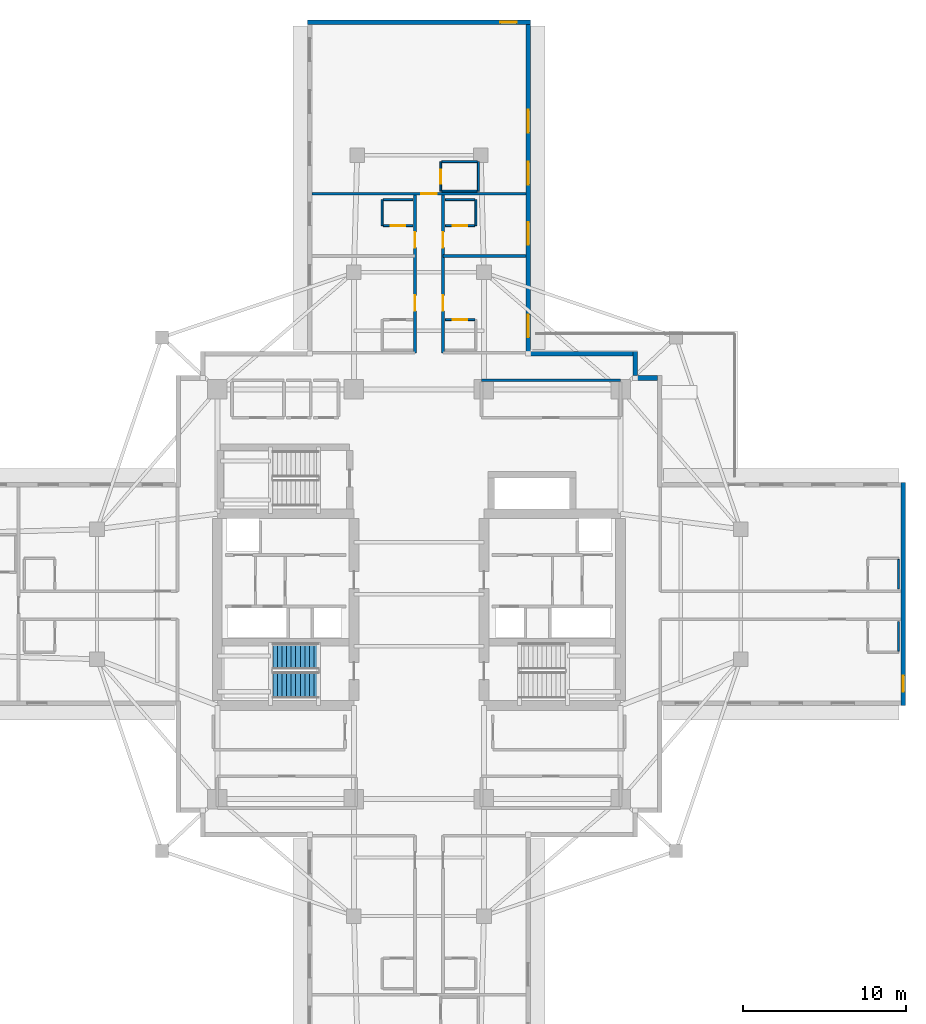
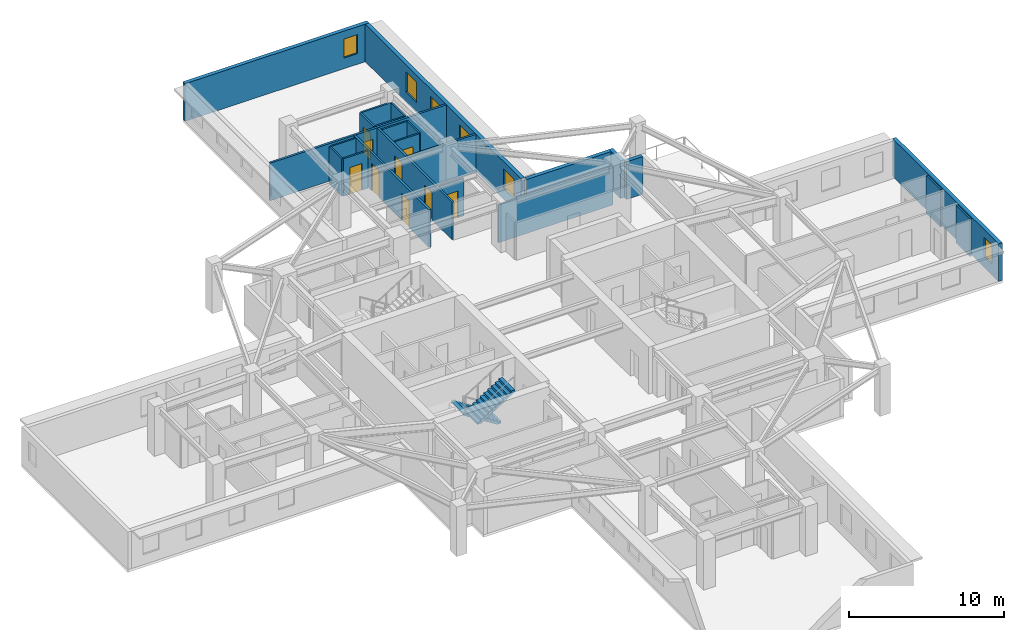
# One storey, part 7 of 13: 24 walls, 9 doors, 6 windows, 2 stair flights, 15 openings, 1 element without a shape of its own.
"""IFC4 building model written with IfcOpenShell, lengths in metres."""

from ifc_helpers import new_model, si_unit, direction, frame, frame_2d, origin, place, context, subcontext, project, spatial, polyline, rectangle, outline, extrude, material, layer, layer_set, type_object, element, fill, aggregate, save


model = new_model("IFC4")

# Units and contexts
model_context = context("Model", 3, precision=1e-05, world=origin(), true_north=direction((0.0, 1.0)))
body_context = subcontext(model_context, "Body", "Model", "MODEL_VIEW")
ifc_project = project(units=[si_unit("LENGTHUNIT", "METRE"), si_unit("AREAUNIT", "SQUARE_METRE"), si_unit("VOLUMEUNIT", "CUBIC_METRE"), si_unit("PLANEANGLEUNIT", "RADIAN"), si_unit("MASSUNIT", "GRAM", prefix="KILO")], contexts=[model_context])

# Site, building, storey
site_placement = place(None, origin())
site = spatial("IfcSite", under=ifc_project, at=site_placement, CompositionType="ELEMENT")
building_placement = place(site_placement, origin())
building = spatial("IfcBuilding", under=site, at=building_placement, Name="Qingluan Cross Belvedere", CompositionType="ELEMENT")
storey_placement = place(building_placement, frame((0.0, 0.0, 183.89990234375)))
storey = spatial("IfcBuildingStorey", under=building, at=storey_placement, Name="L46", CompositionType="ELEMENT", Elevation=183.89990234375)

# Wall
ifc_material_1 = material(Name="Gypsum plasterboard on steel stud acoustic partition", Category="steel")
ifc_layer_1 = layer(ifc_material_1, 0.159912109375, Name="CorridorPartition_160")
ifc_layer_set_1 = layer_set([ifc_layer_1], Name="Gypsum plasterboard on steel stud acoustic partition")
wall_type_1 = type_object("IfcWallType", Name="CorridorPartition_160", PredefinedType="PARTITIONING", material=ifc_layer_set_1)
wall_1_placement = place(storey_placement, frame((3.85009765625, 13.14990234375, 0.0), z_axis=(0.0, 0.0, 1.0), x_axis=(1.0, 0.0, 0.0)))
element("IfcWall", 1, at=wall_1_placement, inside=storey, type_object=wall_type_1, Name="Partition L46:q_ne:N", PredefinedType="PARTITIONING", context=body_context, shape_type="SweptSolid", body=[
    extrude(rectangle(XDim=8.5498046875, YDim=0.159912109375, at=frame_2d((4.27490234375, 0.0))), origin(), (0.0, 0.0, 1.0), 2.960205078125),
])

# Wall, openings, doors
wall_2_placement = place(storey_placement, frame((1.47998046875, 14.85009765625, 0.0), z_axis=(0.0, 0.0, 1.0), x_axis=(0.0, 1.0, 0.0)))
wall_2 = element("IfcWall", 2, at=wall_2_placement, inside=storey, type_object=wall_type_1, Name="Partition L46:N:c0", PredefinedType="PARTITIONING", context=body_context, shape_type="SweptSolid", body=[
    extrude(rectangle(XDim=9.699951171875, YDim=0.159912109375, at=frame_2d((4.85009765625, 0.0))), origin(), (0.0, 0.0, 1.0), 2.960205078125),
])
opening_1_placement = place(wall_2_placement, frame((2.574951171875, 0.0, 0.0)))
opening_1 = element("IfcOpeningElement", 3, at=opening_1_placement, cuts=wall_2, Name="Opening GD-10", PredefinedType="OPENING", context=body_context, shape_type="SweptSolid", body=[
    extrude(rectangle(XDim=0.9599609375, YDim=2.14990234375, at=frame_2d((0.47998046875, 1.074951171875))), frame((0.0, 0.08984375, 0.0), z_axis=(0.0, -1.0, 0.0), x_axis=(1.0, 0.0, 0.0)), (0.0, 0.0, 1.0), 0.179931640625),
])
opening_2_placement = place(wall_2_placement, frame((6.467041015625, 0.0, 0.0)))
opening_2 = element("IfcOpeningElement", 4, at=opening_2_placement, cuts=wall_2, Name="Opening GD-10", PredefinedType="OPENING", context=body_context, shape_type="SweptSolid", body=[
    extrude(rectangle(XDim=0.9599609375, YDim=2.14990234375, at=frame_2d((0.47998046875, 1.074951171875))), frame((0.0, 0.08984375, 0.0), z_axis=(0.0, -1.0, 0.0), x_axis=(1.0, 0.0, 0.0)), (0.0, 0.0, 1.0), 0.179931640625),
])
ifc_material_2 = material(Name="Timber oak fire-rated acoustic guestroom door", Category="wood")
door_type_1 = type_object("IfcDoorType", Name="GuestEntryDoor_FD60", OperationType="NOTDEFINED", PredefinedType="DOOR", material=ifc_material_2)
door_1_placement = place(opening_1_placement, origin())
door_1 = element("IfcDoor", 5, at=door_1_placement, inside=storey, type_object=door_type_1, Name="Guest entry fire door 4605", OperationType="SINGLE_SWING_RIGHT", OverallHeight=2.14990234375, OverallWidth=0.9599609375, PredefinedType="DOOR", context=body_context, shape_type="SweptSolid", body=[
    extrude(rectangle(XDim=0.9599609375, YDim=2.14990234375, at=frame_2d((0.47998046875, 1.074951171875))), frame((0.0, 0.02490234375, 0.0), z_axis=(0.0, -1.0, 0.0), x_axis=(1.0, 0.0, 0.0)), (0.0, 0.0, 1.0), 0.050048828125),
])
fill(opening_1, door_1)
door_2_placement = place(opening_2_placement, origin())
door_2 = element("IfcDoor", 6, at=door_2_placement, inside=storey, type_object=door_type_1, Name="Guest entry fire door 4606", OperationType="SINGLE_SWING_RIGHT", OverallHeight=2.14990234375, OverallWidth=0.9599609375, PredefinedType="DOOR", context=body_context, shape_type="SweptSolid", body=[
    extrude(rectangle(XDim=0.9599609375, YDim=2.14990234375, at=frame_2d((0.47998046875, 1.074951171875))), frame((0.0, 0.02490234375, 0.0), z_axis=(0.0, -1.0, 0.0), x_axis=(1.0, 0.0, 0.0)), (0.0, 0.0, 1.0), 0.050048828125),
])
fill(opening_2, door_2)

# Wall
wall_3_placement = place(storey_placement, frame((1.47998046875, 20.800048828125, 0.0), z_axis=(0.0, 0.0, 1.0), x_axis=(1.0, 0.0, 0.0)))
element("IfcWall", 7, at=wall_3_placement, inside=storey, type_object=wall_type_1, Name="Partition L46:N:d0_0", PredefinedType="PARTITIONING", context=body_context, shape_type="SweptSolid", body=[
    extrude(rectangle(XDim=5.092041015625, YDim=0.159912109375, at=frame_2d((2.5458984375, 0.0))), origin(), (0.0, 0.0, 1.0), 2.960205078125),
])

# Wall, openings, doors
wall_4_placement = place(storey_placement, frame((-0.239990234375, 14.85009765625, 0.0), z_axis=(0.0, 0.0, 1.0), x_axis=(0.0, 1.0, 0.0)))
wall_4 = element("IfcWall", 8, at=wall_4_placement, inside=storey, type_object=wall_type_1, Name="Partition L46:N:c1", PredefinedType="PARTITIONING", context=body_context, shape_type="SweptSolid", body=[
    extrude(rectangle(XDim=9.699951171875, YDim=0.159912109375, at=frame_2d((4.85009765625, 0.0))), origin(), (0.0, 0.0, 1.0), 2.960205078125),
])
opening_3_placement = place(wall_4_placement, frame((2.574951171875, 0.0, 0.0)))
opening_3 = element("IfcOpeningElement", 9, at=opening_3_placement, cuts=wall_4, Name="Opening GD-10", PredefinedType="OPENING", context=body_context, shape_type="SweptSolid", body=[
    extrude(rectangle(XDim=0.9599609375, YDim=2.14990234375, at=frame_2d((0.47998046875, 1.074951171875))), frame((0.0, 0.08984375, 0.0), z_axis=(0.0, -1.0, 0.0), x_axis=(1.0, 0.0, 0.0)), (0.0, 0.0, 1.0), 0.179931640625),
])
opening_4_placement = place(wall_4_placement, frame((6.467041015625, 0.0, 0.0)))
opening_4 = element("IfcOpeningElement", 10, at=opening_4_placement, cuts=wall_4, Name="Opening GD-10", PredefinedType="OPENING", context=body_context, shape_type="SweptSolid", body=[
    extrude(rectangle(XDim=0.9599609375, YDim=2.14990234375, at=frame_2d((0.47998046875, 1.074951171875))), frame((0.0, 0.08984375, 0.0), z_axis=(0.0, -1.0, 0.0), x_axis=(1.0, 0.0, 0.0)), (0.0, 0.0, 1.0), 0.179931640625),
])
door_3_placement = place(opening_3_placement, origin())
door_3 = element("IfcDoor", 11, at=door_3_placement, inside=storey, type_object=door_type_1, Name="Guest entry fire door 4607", OperationType="SINGLE_SWING_RIGHT", OverallHeight=2.14990234375, OverallWidth=0.9599609375, PredefinedType="DOOR", context=body_context, shape_type="SweptSolid", body=[
    extrude(rectangle(XDim=0.9599609375, YDim=2.14990234375, at=frame_2d((0.47998046875, 1.074951171875))), frame((0.0, 0.02490234375, 0.0), z_axis=(0.0, -1.0, 0.0), x_axis=(1.0, 0.0, 0.0)), (0.0, 0.0, 1.0), 0.050048828125),
])
fill(opening_3, door_3)
door_4_placement = place(opening_4_placement, origin())
door_4 = element("IfcDoor", 12, at=door_4_placement, inside=storey, type_object=door_type_1, Name="Guest entry fire door 4608", OperationType="SINGLE_SWING_RIGHT", OverallHeight=2.14990234375, OverallWidth=0.9599609375, PredefinedType="DOOR", context=body_context, shape_type="SweptSolid", body=[
    extrude(rectangle(XDim=0.9599609375, YDim=2.14990234375, at=frame_2d((0.47998046875, 1.074951171875))), frame((0.0, 0.02490234375, 0.0), z_axis=(0.0, -1.0, 0.0), x_axis=(1.0, 0.0, 0.0)), (0.0, 0.0, 1.0), 0.050048828125),
])
fill(opening_4, door_4)

# Wall, opening, door
wall_5_placement = place(storey_placement, frame((-6.572021484375, 24.6298828125, 0.0), z_axis=(0.0, 0.0, 1.0), x_axis=(1.0, 0.0, 0.0)))
wall_5 = element("IfcWall", 13, at=wall_5_placement, inside=storey, type_object=wall_type_1, Name="Partition L46:Ncap:in", PredefinedType="PARTITIONING", context=body_context, shape_type="SweptSolid", body=[
    extrude(rectangle(XDim=13.14404296875, YDim=0.159912109375, at=frame_2d((6.572021484375, 0.0))), origin(), (0.0, 0.0, 1.0), 2.960205078125),
])
opening_5_placement = place(wall_5_placement, frame((6.7119140625, 0.0, 0.0)))
opening_5 = element("IfcOpeningElement", 14, at=opening_5_placement, cuts=wall_5, Name="Opening GD-10", PredefinedType="OPENING", context=body_context, shape_type="SweptSolid", body=[
    extrude(rectangle(XDim=0.9599609375, YDim=2.14990234375, at=frame_2d((0.47998046875, 1.074951171875))), frame((0.0, 0.08984375, 0.0), z_axis=(0.0, -1.0, 0.0), x_axis=(1.0, 0.0, 0.0)), (0.0, 0.0, 1.0), 0.179931640625),
])
door_5_placement = place(opening_5_placement, origin())
door_5 = element("IfcDoor", 15, at=door_5_placement, inside=storey, type_object=door_type_1, Name="Presidential suite entrance door L46N", OperationType="SINGLE_SWING_LEFT", OverallHeight=2.14990234375, OverallWidth=0.9599609375, PredefinedType="DOOR", context=body_context, shape_type="SweptSolid", body=[
    extrude(rectangle(XDim=0.9599609375, YDim=2.14990234375, at=frame_2d((0.47998046875, 1.074951171875))), frame((0.0, 0.02490234375, 0.0), z_axis=(0.0, -1.0, 0.0), x_axis=(1.0, 0.0, 0.0)), (0.0, 0.0, 1.0), 0.050048828125),
])
fill(opening_5, door_5)

# Walls
ifc_material_3 = material(Name="Moisture-resistant gypsum board lining")
ifc_layer_2 = layer(ifc_material_3, 0.1201171875, Name="EnsuiteWetPartition_120")
ifc_layer_set_2 = layer_set([ifc_layer_2], Name="Moisture-resistant gypsum board lining")
wall_type_2 = type_object("IfcWallType", Name="EnsuiteWetPartition_120", PredefinedType="PARTITIONING", material=ifc_layer_set_2)
wall_6_placement = place(storey_placement, frame((29.5, 0.320068359375, 0.0), z_axis=(0.0, 0.0, 1.0), x_axis=(0.0, 1.0, 0.0)))
element("IfcWall", 16, at=wall_6_placement, inside=storey, type_object=wall_type_2, Name="Partition L46:E:bw0_0", PredefinedType="PARTITIONING", context=body_context, shape_type="SweptSolid", body=[
    extrude(rectangle(XDim=1.81982421875, YDim=0.1201171875, at=frame_2d((0.909912109375, 0.0))), origin(), (0.0, 0.0, 1.0), 2.960205078125),
])
wall_7_placement = place(storey_placement, frame((29.5, -3.5, 0.0), z_axis=(0.0, 0.0, 1.0), x_axis=(0.0, 1.0, 0.0)))
element("IfcWall", 17, at=wall_7_placement, inside=storey, type_object=wall_type_2, Name="Partition L46:E:bw1_0", PredefinedType="PARTITIONING", context=body_context, shape_type="SweptSolid", body=[
    extrude(rectangle(XDim=1.820068359375, YDim=0.1201171875, at=frame_2d((0.91015625, 0.0))), origin(), (0.0, 0.0, 1.0), 2.960205078125),
])

# Wall, opening, door
wall_8_placement = place(storey_placement, frame((1.6201171875, 16.889892578125, 0.0), z_axis=(0.0, 0.0, 1.0), x_axis=(1.0, 0.0, 0.0)))
wall_8 = element("IfcWall", 18, at=wall_8_placement, inside=storey, type_object=wall_type_2, Name="Partition L46:N:bs0_0", PredefinedType="PARTITIONING", context=body_context, shape_type="SweptSolid", body=[
    extrude(rectangle(XDim=1.81982421875, YDim=0.1201171875, at=frame_2d((0.909912109375, 0.0))), origin(), (0.0, 0.0, 1.0), 2.960205078125),
])
opening_6_placement = place(wall_8_placement, frame((0.469970703125, 0.0, 0.0)))
opening_6 = element("IfcOpeningElement", 19, at=opening_6_placement, cuts=wall_8, Name="Opening BD-09", PredefinedType="OPENING", context=body_context, shape_type="SweptSolid", body=[
    extrude(rectangle(XDim=0.8798828125, YDim=2.10009765625, at=frame_2d((0.43994140625, 1.050048828125))), frame((0.0, 0.070068359375, 0.0), z_axis=(0.0, -1.0, 0.0), x_axis=(1.0, 0.0, 0.0)), (0.0, 0.0, 1.0), 0.14013671875),
])
ifc_material_4 = material(Name="Moisture-sealed timber en-suite door", Category="wood")
door_type_2 = type_object("IfcDoorType", Name="BathroomDoor_880", OperationType="NOTDEFINED", PredefinedType="DOOR", material=ifc_material_4)
door_6_placement = place(opening_6_placement, origin())
door_6 = element("IfcDoor", 20, at=door_6_placement, inside=storey, type_object=door_type_2, Name="Bathroom door 4605", OperationType="SINGLE_SWING_LEFT", OverallHeight=2.10009765625, OverallWidth=0.8798828125, PredefinedType="DOOR", context=body_context, shape_type="SweptSolid", body=[
    extrude(rectangle(XDim=0.8798828125, YDim=2.10009765625, at=frame_2d((0.43994140625, 1.050048828125))), frame((0.0, 0.02490234375, 0.0), z_axis=(0.0, -1.0, 0.0), x_axis=(1.0, 0.0, 0.0)), (0.0, 0.0, 1.0), 0.050048828125),
])
fill(opening_6, door_6)

wall_9_placement = place(storey_placement, frame((1.6201171875, 22.669921875, 0.0), z_axis=(0.0, 0.0, 1.0), x_axis=(1.0, 0.0, 0.0)))
wall_9 = element("IfcWall", 21, at=wall_9_placement, inside=storey, type_object=wall_type_2, Name="Partition L46:N:bs0_1", PredefinedType="PARTITIONING", context=body_context, shape_type="SweptSolid", body=[
    extrude(rectangle(XDim=1.81982421875, YDim=0.1201171875, at=frame_2d((0.909912109375, 0.0))), origin(), (0.0, 0.0, 1.0), 2.960205078125),
])
opening_7_placement = place(wall_9_placement, frame((0.469970703125, 0.0, 0.0)))
opening_7 = element("IfcOpeningElement", 22, at=opening_7_placement, cuts=wall_9, Name="Opening BD-09", PredefinedType="OPENING", context=body_context, shape_type="SweptSolid", body=[
    extrude(rectangle(XDim=0.8798828125, YDim=2.10009765625, at=frame_2d((0.43994140625, 1.050048828125))), frame((0.0, 0.070068359375, 0.0), z_axis=(0.0, -1.0, 0.0), x_axis=(1.0, 0.0, 0.0)), (0.0, 0.0, 1.0), 0.14013671875),
])
door_7_placement = place(opening_7_placement, origin())
door_7 = element("IfcDoor", 23, at=door_7_placement, inside=storey, type_object=door_type_2, Name="Bathroom door 4606", OperationType="SINGLE_SWING_LEFT", OverallHeight=2.10009765625, OverallWidth=0.8798828125, PredefinedType="DOOR", context=body_context, shape_type="SweptSolid", body=[
    extrude(rectangle(XDim=0.8798828125, YDim=2.10009765625, at=frame_2d((0.43994140625, 1.050048828125))), frame((0.0, 0.02490234375, 0.0), z_axis=(0.0, -1.0, 0.0), x_axis=(1.0, 0.0, 0.0)), (0.0, 0.0, 1.0), 0.050048828125),
])
fill(opening_7, door_7)

# Walls
wall_10_placement = place(storey_placement, frame((1.6201171875, 24.27001953125, 0.0), z_axis=(0.0, 0.0, 1.0), x_axis=(1.0, 0.0, 0.0)))
element("IfcWall", 24, at=wall_10_placement, inside=storey, type_object=wall_type_2, Name="Partition L46:N:bw0_1", PredefinedType="PARTITIONING", context=body_context, shape_type="SweptSolid", body=[
    extrude(rectangle(XDim=1.81982421875, YDim=0.1201171875, at=frame_2d((0.909912109375, 0.0))), origin(), (0.0, 0.0, 1.0), 2.960205078125),
])
wall_11_placement = place(storey_placement, frame((3.5048828125, 22.669921875, 0.0), z_axis=(0.0, 0.0, 1.0), x_axis=(0.0, 1.0, 0.0)))
element("IfcWall", 25, at=wall_11_placement, inside=storey, type_object=wall_type_2, Name="Partition L46:N:bn0_1", PredefinedType="PARTITIONING", context=body_context, shape_type="SweptSolid", body=[
    extrude(rectangle(XDim=1.60009765625, YDim=0.1201171875, at=frame_2d((0.800048828125, 0.0))), origin(), (0.0, 0.0, 1.0), 2.960205078125),
])

# Wall, opening, door
wall_12_placement = place(storey_placement, frame((-2.199951171875, 22.669921875, 0.0), z_axis=(0.0, 0.0, 1.0), x_axis=(1.0, 0.0, 0.0)))
wall_12 = element("IfcWall", 26, at=wall_12_placement, inside=storey, type_object=wall_type_2, Name="Partition L46:N:bs1_1", PredefinedType="PARTITIONING", context=body_context, shape_type="SweptSolid", body=[
    extrude(rectangle(XDim=1.820068359375, YDim=0.1201171875, at=frame_2d((0.91015625, 0.0))), origin(), (0.0, 0.0, 1.0), 2.960205078125),
])
opening_8_placement = place(wall_12_placement, frame((0.469970703125, 0.0, 0.0)))
opening_8 = element("IfcOpeningElement", 27, at=opening_8_placement, cuts=wall_12, Name="Opening BD-09", PredefinedType="OPENING", context=body_context, shape_type="SweptSolid", body=[
    extrude(rectangle(XDim=0.8798828125, YDim=2.10009765625, at=frame_2d((0.43994140625, 1.050048828125))), frame((0.0, 0.070068359375, 0.0), z_axis=(0.0, -1.0, 0.0), x_axis=(1.0, 0.0, 0.0)), (0.0, 0.0, 1.0), 0.14013671875),
])
door_8_placement = place(opening_8_placement, origin())
door_8 = element("IfcDoor", 28, at=door_8_placement, inside=storey, type_object=door_type_2, Name="Bathroom door 4608", OperationType="SINGLE_SWING_LEFT", OverallHeight=2.10009765625, OverallWidth=0.8798828125, PredefinedType="DOOR", context=body_context, shape_type="SweptSolid", body=[
    extrude(rectangle(XDim=0.8798828125, YDim=2.10009765625, at=frame_2d((0.43994140625, 1.050048828125))), frame((0.0, 0.02490234375, 0.0), z_axis=(0.0, -1.0, 0.0), x_axis=(1.0, 0.0, 0.0)), (0.0, 0.0, 1.0), 0.050048828125),
])
fill(opening_8, door_8)

# Walls
wall_13_placement = place(storey_placement, frame((-2.199951171875, 24.27001953125, 0.0), z_axis=(0.0, 0.0, 1.0), x_axis=(1.0, 0.0, 0.0)))
element("IfcWall", 29, at=wall_13_placement, inside=storey, type_object=wall_type_2, Name="Partition L46:N:bw1_1", PredefinedType="PARTITIONING", context=body_context, shape_type="SweptSolid", body=[
    extrude(rectangle(XDim=1.820068359375, YDim=0.1201171875, at=frame_2d((0.91015625, 0.0))), origin(), (0.0, 0.0, 1.0), 2.960205078125),
])
wall_14_placement = place(storey_placement, frame((-2.264892578125, 22.669921875, 0.0), z_axis=(0.0, 0.0, 1.0), x_axis=(0.0, 1.0, 0.0)))
element("IfcWall", 30, at=wall_14_placement, inside=storey, type_object=wall_type_2, Name="Partition L46:N:bc1_1", PredefinedType="PARTITIONING", context=body_context, shape_type="SweptSolid", body=[
    extrude(rectangle(XDim=1.60009765625, YDim=0.1201171875, at=frame_2d((0.800048828125, 0.0))), origin(), (0.0, 0.0, 1.0), 2.960205078125),
])

# Wall, opening, door
wall_15_placement = place(storey_placement, frame((1.340087890625, 24.7900390625, 0.0), z_axis=(0.0, 0.0, 1.0), x_axis=(0.0, 1.0, 0.0)))
wall_15 = element("IfcWall", 31, at=wall_15_placement, inside=storey, type_object=wall_type_2, Name="Partition L46:Ncap:bs", PredefinedType="PARTITIONING", context=body_context, shape_type="SweptSolid", body=[
    extrude(rectangle(XDim=1.820068359375, YDim=0.1201171875, at=frame_2d((0.91015625, 0.0))), origin(), (0.0, 0.0, 1.0), 2.960205078125),
])
opening_9_placement = place(wall_15_placement, frame((0.449951171875, 0.0, 0.0)))
opening_9 = element("IfcOpeningElement", 32, at=opening_9_placement, cuts=wall_15, Name="Opening BD-09", PredefinedType="OPENING", context=body_context, shape_type="SweptSolid", body=[
    extrude(rectangle(XDim=0.8798828125, YDim=2.10009765625, at=frame_2d((0.43994140625, 1.050048828125))), frame((0.0, 0.070068359375, 0.0), z_axis=(0.0, -1.0, 0.0), x_axis=(1.0, 0.0, 0.0)), (0.0, 0.0, 1.0), 0.14013671875),
])
door_9_placement = place(opening_9_placement, origin())
door_9 = element("IfcDoor", 33, at=door_9_placement, inside=storey, type_object=door_type_2, Name="En-suite bathroom door L46N", OperationType="SINGLE_SWING_RIGHT", OverallHeight=2.10009765625, OverallWidth=0.8798828125, PredefinedType="DOOR", context=body_context, shape_type="SweptSolid", body=[
    extrude(rectangle(XDim=0.8798828125, YDim=2.10009765625, at=frame_2d((0.43994140625, 1.050048828125))), frame((0.0, 0.02490234375, 0.0), z_axis=(0.0, -1.0, 0.0), x_axis=(1.0, 0.0, 0.0)), (0.0, 0.0, 1.0), 0.050048828125),
])
fill(opening_9, door_9)

# Walls
wall_16_placement = place(storey_placement, frame((3.659912109375, 24.7900390625, 0.0), z_axis=(0.0, 0.0, 1.0), x_axis=(0.0, 1.0, 0.0)))
element("IfcWall", 34, at=wall_16_placement, inside=storey, type_object=wall_type_2, Name="Partition L46:Ncap:bb", PredefinedType="PARTITIONING", context=body_context, shape_type="SweptSolid", body=[
    extrude(rectangle(XDim=1.820068359375, YDim=0.1201171875, at=frame_2d((0.91015625, 0.0))), origin(), (0.0, 0.0, 1.0), 2.960205078125),
])
for number, where, z_axis, x_axis, name in (
    (35, (1.409912109375, 24.7900390625, 0.0), (0.0, 0.0, 1.0), (1.0, 0.0, 0.0), "Partition L46:Ncap:ba"),
    (36, (1.409912109375, 26.610107421875, 0.0), (0.0, 0.0, 1.0), (1.0, 0.0, 0.0), "Partition L46:Ncap:bn"),
):
    element("IfcWall", number, at=place(storey_placement, frame(where, z_axis=z_axis, x_axis=x_axis)), inside=storey, type_object=wall_type_2, Name=name, PredefinedType="PARTITIONING", context=body_context, shape_type="SweptSolid", body=[
        extrude(rectangle(XDim=2.18017578125, YDim=0.1201171875, at=frame_2d((1.090087890625, 0.0))), origin(), (0.0, 0.0, 1.0), 2.960205078125),
    ])

# Wall, opening, window
ifc_material_5 = material(Name="Precast concrete C45", Category="concrete")
ifc_layer_3 = layer(ifc_material_5, 0.280029296875, Name="PrecastFacadeWall_280")
ifc_layer_set_3 = layer_set([ifc_layer_3], Name="Precast concrete C45")
wall_type_3 = type_object("IfcWallType", Name="PrecastFacadeWall_280", PredefinedType="STANDARD", material=ifc_layer_set_3)
wall_17_placement = place(storey_placement, frame((29.780029296875, -6.860107421875, 0.0), z_axis=(0.0, 0.0, 1.0), x_axis=(0.0, 1.0, 0.0)))
wall_17 = element("IfcWall", 37, at=wall_17_placement, inside=storey, type_object=wall_type_3, Name="Arm tip precast facade wall L46-E", PredefinedType="STANDARD", context=body_context, shape_type="SweptSolid", body=[
    extrude(rectangle(XDim=13.72021484375, YDim=0.280029296875, at=frame_2d((6.860107421875, 0.0))), origin(), (0.0, 0.0, 1.0), 2.97021484375),
])
opening_10_placement = place(wall_17_placement, frame((0.85009765625, 0.0, 0.85009765625)))
opening_10 = element("IfcOpeningElement", 38, at=opening_10_placement, cuts=wall_17, Name="Opening W-03", PredefinedType="OPENING", context=body_context, shape_type="SweptSolid", body=[
    extrude(rectangle(XDim=1.0, YDim=1.5, at=frame_2d((0.5, 0.75))), frame((0.0, 0.14990234375, 0.0), z_axis=(0.0, -1.0, 0.0), x_axis=(1.0, 0.0, 0.0)), (0.0, 0.0, 1.0), 0.300048828125),
])
ifc_material_6 = material(Name="Thermally broken triple Low-E glass in aluminium frame", Category="aluminium")
window_type_1 = type_object("IfcWindowType", Name="TriApexWin_1000x1500", PartitioningType="SINGLE_PANEL", PredefinedType="WINDOW", material=ifc_material_6)
window_1_placement = place(opening_10_placement, origin())
window_1 = element("IfcWindow", 39, at=window_1_placement, inside=storey, type_object=window_type_1, Name="Arm tip triangular window L46-E", OverallHeight=1.5, OverallWidth=1.0, PartitioningType="SINGLE_PANEL", PredefinedType="WINDOW", context=body_context, shape_type="SweptSolid", body=[
    extrude(rectangle(XDim=1.0, YDim=1.5, at=frame_2d((0.5, 0.75))), frame((0.0, 0.030029296875, 0.0), z_axis=(0.0, -1.0, 0.0), x_axis=(1.0, 0.0, 0.0)), (0.0, 0.0, 1.0), 0.06005859375),
])
fill(opening_10, window_1)

# Wall, openings, windows
wall_18_placement = place(storey_placement, frame((6.719970703125, 14.93994140625, 0.0), z_axis=(0.0, 0.0, 1.0), x_axis=(0.0, 1.0, 0.0)))
wall_18 = element("IfcWall", 40, at=wall_18_placement, inside=storey, type_object=wall_type_3, Name="Facade wall L46-NA", PredefinedType="STANDARD", context=body_context, shape_type="SweptSolid", body=[
    extrude(rectangle(XDim=20.10009765625, YDim=0.280029296875, at=frame_2d((10.050048828125, 0.0))), origin(), (0.0, 0.0, 1.0), 2.97021484375),
])
opening_11_placement = place(wall_18_placement, frame((0.85009765625, 0.0, 0.800048828125)))
opening_11 = element("IfcOpeningElement", 41, at=opening_11_placement, cuts=wall_18, Name="Opening W-01", PredefinedType="OPENING", context=body_context, shape_type="SweptSolid", body=[
    extrude(rectangle(XDim=1.39990234375, YDim=1.60009765625, at=frame_2d((0.699951171875, 0.800048828125))), frame((0.0, 0.14990234375, 0.0), z_axis=(0.0, -1.0, 0.0), x_axis=(1.0, 0.0, 0.0)), (0.0, 0.0, 1.0), 0.300048828125),
])
opening_12_placement = place(wall_18_placement, frame((6.550048828125, 0.0, 0.800048828125)))
opening_12 = element("IfcOpeningElement", 42, at=opening_12_placement, cuts=wall_18, Name="Opening W-01", PredefinedType="OPENING", context=body_context, shape_type="SweptSolid", body=[
    extrude(rectangle(XDim=1.39990234375, YDim=1.60009765625, at=frame_2d((0.699951171875, 0.800048828125))), frame((0.0, 0.14990234375, 0.0), z_axis=(0.0, -1.0, 0.0), x_axis=(1.0, 0.0, 0.0)), (0.0, 0.0, 1.0), 0.300048828125),
])
opening_13_placement = place(wall_18_placement, frame((10.25, 0.0, 0.800048828125)))
opening_13 = element("IfcOpeningElement", 43, at=opening_13_placement, cuts=wall_18, Name="Opening W-01", PredefinedType="OPENING", context=body_context, shape_type="SweptSolid", body=[
    extrude(rectangle(XDim=1.39990234375, YDim=1.60009765625, at=frame_2d((0.699951171875, 0.800048828125))), frame((0.0, 0.14990234375, 0.0), z_axis=(0.0, -1.0, 0.0), x_axis=(1.0, 0.0, 0.0)), (0.0, 0.0, 1.0), 0.300048828125),
])
opening_14_placement = place(wall_18_placement, frame((13.449951171875, 0.0, 0.800048828125)))
opening_14 = element("IfcOpeningElement", 44, at=opening_14_placement, cuts=wall_18, Name="Opening W-01", PredefinedType="OPENING", context=body_context, shape_type="SweptSolid", body=[
    extrude(rectangle(XDim=1.39990234375, YDim=1.60009765625, at=frame_2d((0.699951171875, 0.800048828125))), frame((0.0, 0.14990234375, 0.0), z_axis=(0.0, -1.0, 0.0), x_axis=(1.0, 0.0, 0.0)), (0.0, 0.0, 1.0), 0.300048828125),
])
ifc_material_7 = material(Name="Thermally broken triple Low-E glass in aluminium frame", Category="aluminium")
window_type_2 = type_object("IfcWindowType", Name="TriRibbonWin_1400x1600", PartitioningType="SINGLE_PANEL", PredefinedType="WINDOW", material=ifc_material_7)
window_2_placement = place(opening_11_placement, origin())
window_2 = element("IfcWindow", 45, at=window_2_placement, inside=storey, type_object=window_type_2, Name="Ribbon window L46-NA-1", OverallHeight=1.60009765625, OverallWidth=1.39990234375, PartitioningType="SINGLE_PANEL", PredefinedType="WINDOW", context=body_context, shape_type="SweptSolid", body=[
    extrude(rectangle(XDim=1.39990234375, YDim=1.60009765625, at=frame_2d((0.699951171875, 0.800048828125))), frame((0.0, 0.030029296875, 0.0), z_axis=(0.0, -1.0, 0.0), x_axis=(1.0, 0.0, 0.0)), (0.0, 0.0, 1.0), 0.06005859375),
])
fill(opening_11, window_2)
window_3_placement = place(opening_12_placement, origin())
window_3 = element("IfcWindow", 46, at=window_3_placement, inside=storey, type_object=window_type_2, Name="Ribbon window L46-NA-2", OverallHeight=1.60009765625, OverallWidth=1.39990234375, PartitioningType="SINGLE_PANEL", PredefinedType="WINDOW", context=body_context, shape_type="SweptSolid", body=[
    extrude(rectangle(XDim=1.39990234375, YDim=1.60009765625, at=frame_2d((0.699951171875, 0.800048828125))), frame((0.0, 0.030029296875, 0.0), z_axis=(0.0, -1.0, 0.0), x_axis=(1.0, 0.0, 0.0)), (0.0, 0.0, 1.0), 0.06005859375),
])
fill(opening_12, window_3)
window_4_placement = place(opening_13_placement, origin())
window_4 = element("IfcWindow", 47, at=window_4_placement, inside=storey, type_object=window_type_2, Name="Ribbon window L46-NA-3", OverallHeight=1.60009765625, OverallWidth=1.39990234375, PartitioningType="SINGLE_PANEL", PredefinedType="WINDOW", context=body_context, shape_type="SweptSolid", body=[
    extrude(rectangle(XDim=1.39990234375, YDim=1.60009765625, at=frame_2d((0.699951171875, 0.800048828125))), frame((0.0, 0.030029296875, 0.0), z_axis=(0.0, -1.0, 0.0), x_axis=(1.0, 0.0, 0.0)), (0.0, 0.0, 1.0), 0.06005859375),
])
fill(opening_13, window_4)
window_5_placement = place(opening_14_placement, origin())
window_5 = element("IfcWindow", 48, at=window_5_placement, inside=storey, type_object=window_type_2, Name="Ribbon window L46-NA-4", OverallHeight=1.60009765625, OverallWidth=1.39990234375, PartitioningType="SINGLE_PANEL", PredefinedType="WINDOW", context=body_context, shape_type="SweptSolid", body=[
    extrude(rectangle(XDim=1.39990234375, YDim=1.60009765625, at=frame_2d((0.699951171875, 0.800048828125))), frame((0.0, 0.030029296875, 0.0), z_axis=(0.0, -1.0, 0.0), x_axis=(1.0, 0.0, 0.0)), (0.0, 0.0, 1.0), 0.06005859375),
])
fill(opening_14, window_5)

# Wall, opening, window
wall_19_placement = place(storey_placement, frame((6.860107421875, 35.179931640625, 0.0), z_axis=(0.0, 0.0, 1.0), x_axis=(-1.0, 0.0, 0.0)))
wall_19 = element("IfcWall", 49, at=wall_19_placement, inside=storey, type_object=wall_type_3, Name="Arm tip precast facade wall L46-N", PredefinedType="STANDARD", context=body_context, shape_type="SweptSolid", body=[
    extrude(rectangle(XDim=13.72021484375, YDim=0.280029296875, at=frame_2d((6.860107421875, 0.0))), origin(), (0.0, 0.0, 1.0), 2.97021484375),
])
opening_15_placement = place(wall_19_placement, frame((0.85009765625, 0.0, 0.85009765625)))
opening_15 = element("IfcOpeningElement", 50, at=opening_15_placement, cuts=wall_19, Name="Opening W-03", PredefinedType="OPENING", context=body_context, shape_type="SweptSolid", body=[
    extrude(rectangle(XDim=1.0, YDim=1.5, at=frame_2d((0.5, 0.75))), frame((0.0, 0.14990234375, 0.0), z_axis=(0.0, -1.0, 0.0), x_axis=(1.0, 0.0, 0.0)), (0.0, 0.0, 1.0), 0.300048828125),
])
window_6_placement = place(opening_15_placement, origin())
window_6 = element("IfcWindow", 51, at=window_6_placement, inside=storey, type_object=window_type_1, Name="Arm tip triangular window L46-N", OverallHeight=1.5, OverallWidth=1.0, PartitioningType="SINGLE_PANEL", PredefinedType="WINDOW", context=body_context, shape_type="SweptSolid", body=[
    extrude(rectangle(XDim=1.0, YDim=1.5, at=frame_2d((0.5, 0.75))), frame((0.0, 0.030029296875, 0.0), z_axis=(0.0, -1.0, 0.0), x_axis=(1.0, 0.0, 0.0)), (0.0, 0.0, 1.0), 0.06005859375),
])
fill(opening_15, window_6)

# Walls
wall_20_placement = place(storey_placement, frame((14.659912109375, 13.300048828125, 0.0), z_axis=(0.0, 0.0, 1.0), x_axis=(-1.0, 0.0, 0.0)))
element("IfcWall", 52, at=wall_20_placement, inside=storey, type_object=wall_type_3, Name="Corner wall L46-NE2", PredefinedType="STANDARD", context=body_context, shape_type="SweptSolid", body=[
    extrude(rectangle(XDim=1.219970703125, YDim=0.280029296875, at=frame_2d((0.60986328125, 0.0))), origin(), (0.0, 0.0, 1.0), 2.97021484375),
])
wall_21_placement = place(storey_placement, frame((13.300048828125, 13.43994140625, 0.0), z_axis=(0.0, 0.0, 1.0), x_axis=(0.0, 1.0, 0.0)))
element("IfcWall", 53, at=wall_21_placement, inside=storey, type_object=wall_type_3, Name="Corner wall L46-NE3", PredefinedType="STANDARD", context=body_context, shape_type="SweptSolid", body=[
    extrude(rectangle(XDim=1.5, YDim=0.280029296875, at=frame_2d((0.75, 0.0))), origin(), (0.0, 0.0, 1.0), 2.97021484375),
])
wall_22_placement = place(storey_placement, frame((13.159912109375, 14.800048828125, 0.0), z_axis=(0.0, 0.0, 1.0), x_axis=(-1.0, 0.0, 0.0)))
element("IfcWall", 54, at=wall_22_placement, inside=storey, type_object=wall_type_3, Name="Corner wall L46-NE4", PredefinedType="STANDARD", context=body_context, shape_type="SweptSolid", body=[
    extrude(rectangle(XDim=6.2998046875, YDim=0.280029296875, at=frame_2d((3.14990234375, 0.0))), origin(), (0.0, 0.0, 1.0), 2.97021484375),
])

# Stair, stair flights
ifc_material_8 = material(Name="Concrete C40", Category="concrete")
stair_type = type_object("IfcStairType", Name="CoreDoglegStair_1620", PredefinedType="HALF_TURN_STAIR", material=ifc_material_8)
stair_placement = place(storey_placement, origin())
stair = element("IfcStair", 55, at=stair_placement, inside=storey, type_object=stair_type, Name="L46 ST1", PredefinedType="HALF_TURN_STAIR")
ifc_material_9 = material(Name="Concrete C40", Category="concrete")
ifc_layer_4 = layer(ifc_material_9, 0.179931640625, Name="StairFlight_RC180")
ifc_layer_set_4 = layer_set([ifc_layer_4], Name="Concrete C40")
stair_flight_type = type_object("IfcStairFlightType", Name="StairFlight_RC180", PredefinedType="STRAIGHT", material=ifc_layer_set_4)
stair_flight_1_placement = place(storey_placement, frame((-6.179931640625, -3.81005859375, 0.0), z_axis=(0.0, 0.0, 1.0), x_axis=(-1.0, 0.0, 0.0)))
stair_flight_1 = element("IfcStairFlight", 56, at=stair_flight_1_placement, type_object=stair_flight_type, Name="ST1 flight 1", NumberOfRisers=11, NumberOfTreads=10, PredefinedType="STRAIGHT", RiserHeight=0.177272727, TreadLength=0.28, context=body_context, shape_type="SweptSolid", body=[
    extrude(outline(polyline([(0.0, 0.0), (0.0, 0.17724609375), (0.280029296875, 0.17724609375), (0.280029296875, 0.3544921875), (0.56005859375, 0.3544921875), (0.56005859375, 0.53173828125), (0.840087890625, 0.53173828125), (0.840087890625, 0.708984375), (1.1201171875, 0.708984375), (1.1201171875, 0.886474609375), (1.39990234375, 0.886474609375), (1.39990234375, 1.063720703125), (1.679931640625, 1.063720703125), (1.679931640625, 1.240966796875), (1.9599609375, 1.240966796875), (1.9599609375, 1.418212890625), (2.239990234375, 1.418212890625), (2.239990234375, 1.595458984375), (2.52001953125, 1.595458984375), (2.52001953125, 1.772705078125), (2.800048828125, 1.772705078125), (2.800048828125, 1.949951171875), (2.800048828125, 1.59521484375), (0.2802734375, 0.0), (0.0, 0.0)])), frame((0.0, 0.81005859375, 0.0), z_axis=(0.0, -1.0, 0.0), x_axis=(1.0, 0.0, 0.0)), (0.0, 0.0, 1.0), 1.6201171875),
])
stair_flight_2_placement = place(storey_placement, frame((-8.97998046875, -5.590087890625, 1.9501953125), z_axis=(0.0, 0.0, 1.0), x_axis=(1.0, 0.0, 0.0)))
stair_flight_2 = element("IfcStairFlight", 57, at=stair_flight_2_placement, type_object=stair_flight_type, Name="ST1 flight 2", NumberOfRisers=11, NumberOfTreads=10, PredefinedType="STRAIGHT", RiserHeight=0.177272727, TreadLength=0.28, context=body_context, shape_type="SweptSolid", body=[
    extrude(outline(polyline([(0.0, 0.0), (0.0, 0.17724609375), (0.280029296875, 0.17724609375), (0.280029296875, 0.3544921875), (0.56005859375, 0.3544921875), (0.56005859375, 0.53173828125), (0.840087890625, 0.53173828125), (0.840087890625, 0.708984375), (1.1201171875, 0.708984375), (1.1201171875, 0.886474609375), (1.39990234375, 0.886474609375), (1.39990234375, 1.063720703125), (1.679931640625, 1.063720703125), (1.679931640625, 1.240966796875), (1.9599609375, 1.240966796875), (1.9599609375, 1.418212890625), (2.239990234375, 1.418212890625), (2.239990234375, 1.595458984375), (2.52001953125, 1.595458984375), (2.52001953125, 1.772705078125), (2.800048828125, 1.772705078125), (2.800048828125, 1.949951171875), (2.800048828125, 1.59521484375), (0.2802734375, 0.0), (0.0, 0.0)])), frame((0.0, 0.81005859375, 0.0), z_axis=(0.0, -1.0, 0.0), x_axis=(1.0, 0.0, 0.0)), (0.0, 0.0, 1.0), 1.6201171875),
])
aggregate(stair, [stair_flight_1, stair_flight_2])

save(model, "model.ifc")
